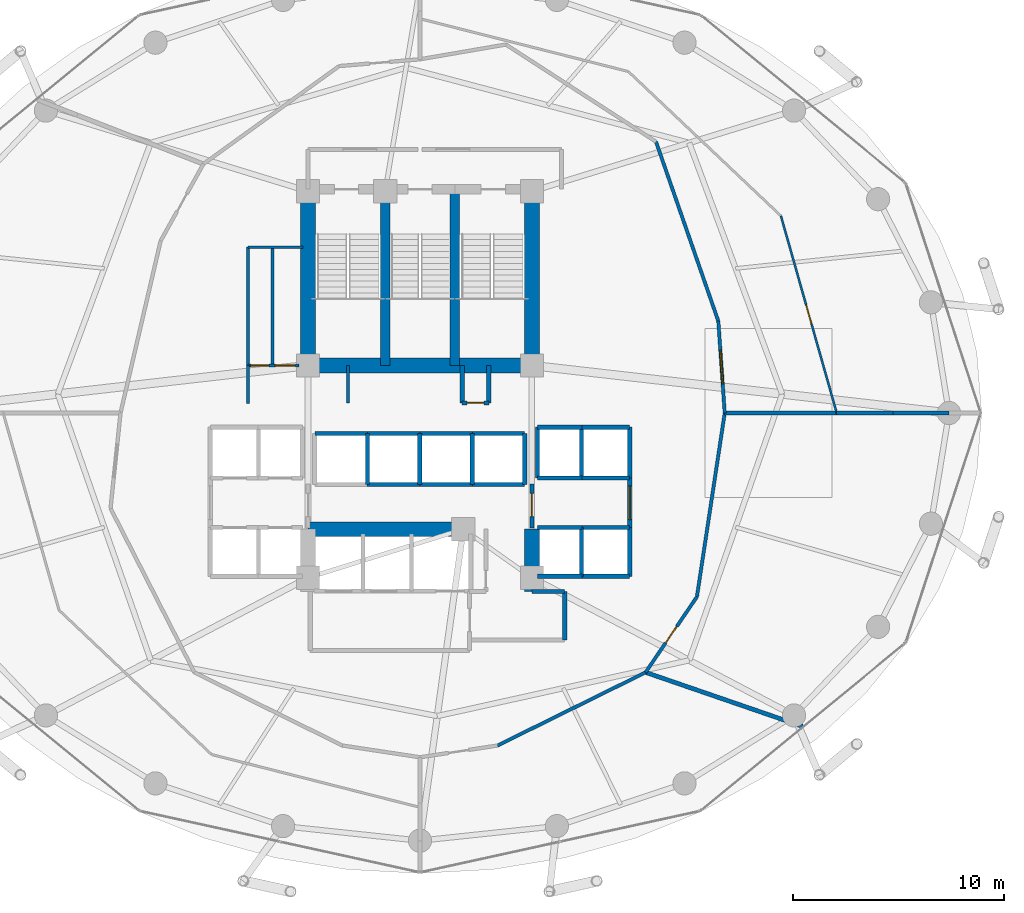
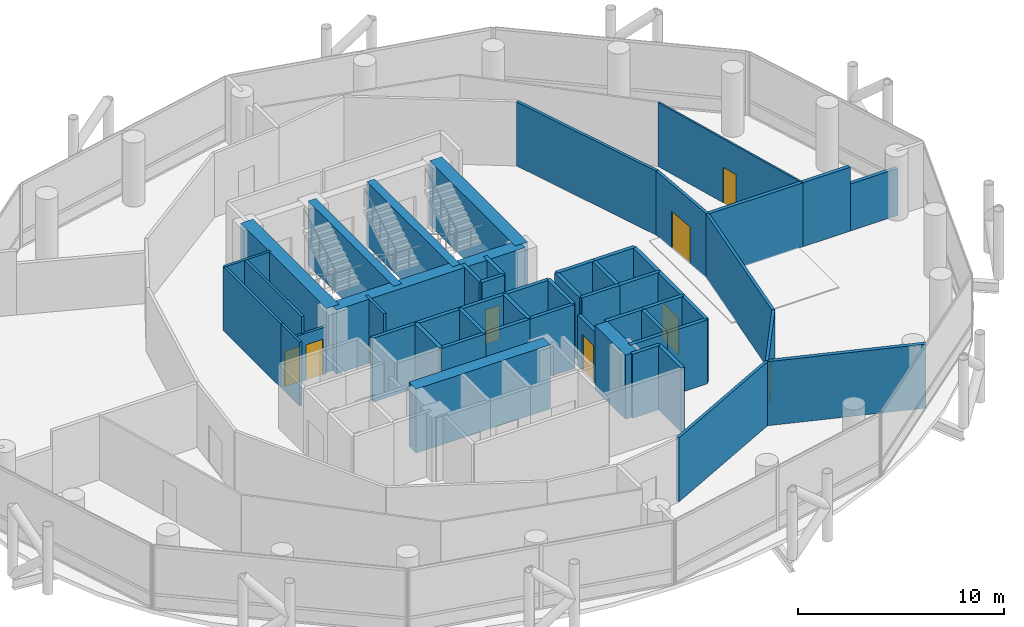
# One storey, part 22 of 24: 54 walls, 8 doors, 8 openings.
"""IFC4 building model written with IfcOpenShell, lengths in metres."""

from ifc_helpers import new_model, si_unit, direction, frame, frame_2d, origin, place, context, subcontext, project, spatial, rectangle, extrude, material, layer, layer_set, type_object, element, fill, save


model = new_model("IFC4")

# Units and contexts
model_context = context("Model", 3, precision=1e-05, world=origin(), true_north=direction((0.0, 1.0)))
body_context = subcontext(model_context, "Body", "Model", "MODEL_VIEW")
ifc_project = project(units=[si_unit("LENGTHUNIT", "METRE"), si_unit("AREAUNIT", "SQUARE_METRE"), si_unit("VOLUMEUNIT", "CUBIC_METRE"), si_unit("PLANEANGLEUNIT", "RADIAN"), si_unit("MASSUNIT", "GRAM", prefix="KILO")], contexts=[model_context])

# Site, building, storey
site_placement = place(None, origin())
site = spatial("IfcSite", under=ifc_project, at=site_placement, CompositionType="ELEMENT")
building_placement = place(site_placement, origin())
building = spatial("IfcBuilding", under=site, at=building_placement, Name="Nuhasar Tower", CompositionType="ELEMENT")
storey_placement = place(building_placement, frame((0.0, 0.0, 69.60009765625)))
storey = spatial("IfcBuildingStorey", under=building, at=storey_placement, Name="L16", CompositionType="ELEMENT", Elevation=69.60009765625)

# Walls
ifc_material_1 = material(Name="Concrete C50/60", Category="concrete")
ifc_layer_1 = layer(ifc_material_1, 0.449951171875)
ifc_layer_set_1 = layer_set([ifc_layer_1], Name="Concrete C50/60")
wall_type_1 = type_object("IfcWallType", Name="WL-CORE-450", PredefinedType="SHEAR", material=ifc_layer_set_1)
for number, where, z_axis, x_axis, name in (
    (1, (37.35009765625, 29.050048828125, 0.0), (0.0, 0.0, 1.0), (0.0, 1.0, 0.0), "L16 Stairwell Shear Wall ST01-E"),
    (2, (40.64990234375, 29.050048828125, 0.0), (0.0, 0.0, 1.0), (0.0, 1.0, 0.0), "L16 Stairwell Shear Wall ST03-E"),
):
    element("IfcWall", number, at=place(storey_placement, frame(where, z_axis=z_axis, x_axis=x_axis)), inside=storey, type_object=wall_type_1, Name=name, PredefinedType="SHEAR", context=body_context, shape_type="SweptSolid", body=[
        extrude(rectangle(XDim=8.349853515625, YDim=0.449951171875, at=frame_2d((4.1748046875, 0.0))), origin(), (0.0, 0.0, 1.0), 3.7998046875),
    ])
ifc_material_2 = material(Name="Concrete C65/80", Category="concrete")
ifc_layer_2 = layer(ifc_material_2, 0.699951171875)
ifc_layer_set_2 = layer_set([ifc_layer_2], Name="Concrete C65/80")
wall_type_2 = type_object("IfcWallType", Name="WL-CORE-700", PredefinedType="SHEAR", material=ifc_layer_set_2)
for number, where, z_axis, x_axis, name in (
    (3, (33.699951171875, 29.050048828125, 0.0), (0.0, 0.0, 1.0), (0.0, 1.0, 0.0), "L16 Core Shear Wall CW-NW CW-700"),
    (4, (44.300048828125, 29.050048828125, 0.0), (0.0, 0.0, 1.0), (0.0, 1.0, 0.0), "L16 Core Shear Wall CW-NE CW-700"),
):
    element("IfcWall", number, at=place(storey_placement, frame(where, z_axis=z_axis, x_axis=x_axis)), inside=storey, type_object=wall_type_2, Name=name, PredefinedType="SHEAR", context=body_context, shape_type="SweptSolid", body=[
        extrude(rectangle(XDim=8.349853515625, YDim=0.699951171875, at=frame_2d((4.1748046875, 0.0))), origin(), (0.0, 0.0, 1.0), 3.7998046875),
    ])
wall_1_placement = place(storey_placement, frame((44.300048828125, 18.35009765625, 0.0), z_axis=(0.0, 0.0, 1.0), x_axis=(0.0, 1.0, 0.0)))
element("IfcWall", 5, at=wall_1_placement, inside=storey, type_object=wall_type_2, Name="L16 Core Shear Wall CW-SE CW-700", PredefinedType="SHEAR", context=body_context, shape_type="SweptSolid", body=[
    extrude(rectangle(XDim=2.949951171875, YDim=0.699951171875, at=frame_2d((1.47509765625, 0.0))), origin(), (0.0, 0.0, 1.0), 3.7998046875),
])
wall_2_placement = place(storey_placement, frame((33.699951171875, 29.050048828125, 0.0), z_axis=(0.0, 0.0, 1.0), x_axis=(1.0, 0.0, 0.0)))
element("IfcWall", 6, at=wall_2_placement, inside=storey, type_object=wall_type_2, Name="L16 Core Shear Wall CW-N1 CW-700", PredefinedType="SHEAR", context=body_context, shape_type="SweptSolid", body=[
    extrude(rectangle(XDim=10.60009765625, YDim=0.699951171875, at=frame_2d((5.300048828125, 0.0))), origin(), (0.0, 0.0, 1.0), 3.7998046875),
])
wall_3_placement = place(storey_placement, frame((33.699951171875, 21.300048828125, 0.0), z_axis=(0.0, 0.0, 1.0), x_axis=(1.0, 0.0, 0.0)))
element("IfcWall", 7, at=wall_3_placement, inside=storey, type_object=wall_type_2, Name="L16 Core Shear Wall CW-S1 CW-700", PredefinedType="SHEAR", context=body_context, shape_type="SweptSolid", body=[
    extrude(rectangle(XDim=7.550048828125, YDim=0.699951171875, at=frame_2d((3.77490234375, 0.0))), origin(), (0.0, 0.0, 1.0), 3.7998046875),
])

# Wall, opening, door
ifc_material_3 = material(Name="Gypsum Board", Category="gypsum")
ifc_layer_3 = layer(ifc_material_3, 0.159912109375)
ifc_layer_set_3 = layer_set([ifc_layer_3], Name="Gypsum Board")
wall_type_3 = type_object("IfcWallType", Name="WL-CORR-160", PredefinedType="PARTITIONING", material=ifc_layer_set_3)
wall_4_placement = place(storey_placement, frame((53.126953125, 31.15087890625, 0.0), z_axis=(0.0, 0.0, 1.0), x_axis=(0.06946871143, -0.997584130854, 0.0)))
wall_4 = element("IfcWall", 8, at=wall_4_placement, inside=storey, type_object=wall_type_3, Name="L16 Interior Partition CORR-00", PredefinedType="PARTITIONING", context=body_context, shape_type="SweptSolid", body=[
    extrude(rectangle(XDim=4.361328125, YDim=0.159912109375, at=frame_2d((2.1806640625, 0.0))), origin(), (0.0, 0.0, 1.0), 3.7998046875),
])
opening_1_placement = place(wall_4_placement, frame((1.381103515625, 0.0, 0.0)))
opening_1 = element("IfcOpeningElement", 9, at=opening_1_placement, cuts=wall_4, Name="Opening DC-01", PredefinedType="OPENING", context=body_context, shape_type="SweptSolid", body=[
    extrude(rectangle(XDim=1.60009765625, YDim=2.199951171875, at=frame_2d((0.800048828125, 1.10009765625))), frame((0.0, 0.08984375, 0.0), z_axis=(0.0, -1.0, 0.0), x_axis=(1.0, 0.0, 0.0)), (0.0, 0.0, 1.0), 0.179931640625),
])
ifc_material_4 = material(Name="Steel S355", Category="steel")
door_type_1 = type_object("IfcDoorType", Name="DR-CORR-FD60-1600", OperationType="DOUBLE_DOOR_SINGLE_SWING", PredefinedType="DOOR", material=ifc_material_4)
door_1_placement = place(opening_1_placement, origin())
door_1 = element("IfcDoor", 10, at=door_1_placement, inside=storey, type_object=door_type_1, Name="L16 East Industrial Design Studio Entry Door", OperationType="DOUBLE_DOOR_SINGLE_SWING", OverallHeight=2.199951171875, OverallWidth=1.60009765625, PredefinedType="DOOR", context=body_context, shape_type="SweptSolid", body=[
    extrude(rectangle(XDim=1.60009765625, YDim=2.199951171875, at=frame_2d((0.800048828125, 1.10009765625))), frame((0.0, 0.02490234375, 0.0), z_axis=(0.0, -1.0, 0.0), x_axis=(1.0, 0.0, 0.0)), (0.0, 0.0, 1.0), 0.050048828125),
])
fill(opening_1, door_1)

# Walls
wall_5_placement = place(storey_placement, frame((53.126953125, 31.15087890625, 0.0), z_axis=(0.0, 0.0, 1.0), x_axis=(-0.328134166286, 0.944631128492, 0.0)))
element("IfcWall", 11, at=wall_5_placement, inside=storey, type_object=wall_type_3, Name="L16 Interior Partition CORR-02", PredefinedType="PARTITIONING", context=body_context, shape_type="SweptSolid", body=[
    extrude(rectangle(XDim=8.9931640625, YDim=0.159912109375, at=frame_2d((4.49658203125, 0.0))), origin(), (0.0, 0.0, 1.0), 3.7998046875),
])
wall_6_placement = place(storey_placement, frame((42.669921875, 11.054931640625, 0.0), z_axis=(0.0, 0.0, 1.0), x_axis=(0.896539401739, 0.442963995296, 0.0)))
element("IfcWall", 12, at=wall_6_placement, inside=storey, type_object=wall_type_3, Name="L16 Interior Partition CORR-38", PredefinedType="PARTITIONING", context=body_context, shape_type="SweptSolid", body=[
    extrude(rectangle(XDim=7.822509765625, YDim=0.159912109375, at=frame_2d((3.9111328125, 0.0))), origin(), (0.0, 0.0, 1.0), 3.7998046875),
])

# Wall, opening, door
wall_7_placement = place(storey_placement, frame((52.113037109375, 18.096923828125, 0.0), z_axis=(0.0, 0.0, 1.0), x_axis=(-0.561936247527, -0.827180544812, 0.0)))
wall_7 = element("IfcWall", 13, at=wall_7_placement, inside=storey, type_object=wall_type_3, Name="L16 Interior Partition CORR-42", PredefinedType="PARTITIONING", context=body_context, shape_type="SweptSolid", body=[
    extrude(rectangle(XDim=4.32421875, YDim=0.159912109375, at=frame_2d((2.162109375, 0.0))), origin(), (0.0, 0.0, 1.0), 3.7998046875),
])
opening_2_placement = place(wall_7_placement, frame((1.68701171875, 0.0, 0.0)))
opening_2 = element("IfcOpeningElement", 14, at=opening_2_placement, cuts=wall_7, Name="Opening DO-01", PredefinedType="OPENING", context=body_context, shape_type="SweptSolid", body=[
    extrude(rectangle(XDim=0.949951171875, YDim=2.14990234375, at=frame_2d((0.47509765625, 1.074951171875))), frame((0.0, 0.08984375, 0.0), z_axis=(0.0, -1.0, 0.0), x_axis=(1.0, 0.0, 0.0)), (0.0, 0.0, 1.0), 0.179931640625),
])
ifc_material_5 = material(Name="Timber Oak", Category="wood")
door_type_2 = type_object("IfcDoorType", Name="DR-OFFICE-FD30-950", OperationType="NOTDEFINED", PredefinedType="DOOR", material=ifc_material_5)
door_2_placement = place(opening_2_placement, origin())
door_2 = element("IfcDoor", 15, at=door_2_placement, inside=storey, type_object=door_type_2, Name="L16 Prototype Material Store Entry Door", OperationType="SINGLE_SWING_LEFT", OverallHeight=2.14990234375, OverallWidth=0.949951171875, PredefinedType="DOOR", context=body_context, shape_type="SweptSolid", body=[
    extrude(rectangle(XDim=0.949951171875, YDim=2.14990234375, at=frame_2d((0.47509765625, 1.074951171875))), frame((0.0, 0.02490234375, 0.0), z_axis=(0.0, -1.0, 0.0), x_axis=(1.0, 0.0, 0.0)), (0.0, 0.0, 1.0), 0.050048828125),
])
fill(opening_2, door_2)

# Wall
wall_8_placement = place(storey_placement, frame((52.113037109375, 18.096923828125, 0.0), z_axis=(0.0, 0.0, 1.0), x_axis=(0.149609827819, 0.988745113475, 0.0)))
element("IfcWall", 16, at=wall_8_placement, inside=storey, type_object=wall_type_3, Name="L16 Interior Partition CORR-44", PredefinedType="PARTITIONING", context=body_context, shape_type="SweptSolid", body=[
    extrude(rectangle(XDim=8.80224609375, YDim=0.159912109375, at=frame_2d((4.401123046875, 0.0))), origin(), (0.0, 0.0, 1.0), 3.7998046875),
])

# Wall, opening, door
ifc_material_6 = material(Name="Concrete C45/55", Category="concrete")
ifc_layer_4 = layer(ifc_material_6, 0.199951171875)
ifc_layer_set_4 = layer_set([ifc_layer_4], Name="Concrete C45/55")
wall_type_4 = type_object("IfcWallType", Name="WL-LOBBY-200", PredefinedType="SOLIDWALL", material=ifc_layer_set_4)
wall_9_placement = place(storey_placement, frame((48.929931640625, 21.3798828125, 0.0), z_axis=(0.0, 0.0, 1.0), x_axis=(0.0, 1.0, 0.0)))
wall_9 = element("IfcWall", 17, at=wall_9_placement, inside=storey, type_object=wall_type_4, Name="L16 Interior Partition LLBM-E", PredefinedType="SOLIDWALL", context=body_context, shape_type="SweptSolid", body=[
    extrude(rectangle(XDim=2.340087890625, YDim=0.199951171875, at=frame_2d((1.169921875, 0.0))), origin(), (0.0, 0.0, 1.0), 3.7998046875),
])
opening_3_placement = place(wall_9_placement, frame((0.3701171875, 0.0, 0.0)))
opening_3 = element("IfcOpeningElement", 18, at=opening_3_placement, cuts=wall_9, Name="Opening DC-01", PredefinedType="OPENING", context=body_context, shape_type="SweptSolid", body=[
    extrude(rectangle(XDim=1.60009765625, YDim=2.199951171875, at=frame_2d((0.800048828125, 1.10009765625))), frame((0.0, 0.10986328125, 0.0), z_axis=(0.0, -1.0, 0.0), x_axis=(1.0, 0.0, 0.0)), (0.0, 0.0, 1.0), 0.219970703125),
])
door_3_placement = place(opening_3_placement, origin())
door_3 = element("IfcDoor", 19, at=door_3_placement, inside=storey, type_object=door_type_1, Name="L16 Mid-Rise Lift Lobby East Entry", OperationType="DOUBLE_DOOR_SINGLE_SWING", OverallHeight=2.199951171875, OverallWidth=1.60009765625, PredefinedType="DOOR", context=body_context, shape_type="SweptSolid", body=[
    extrude(rectangle(XDim=1.60009765625, YDim=2.199951171875, at=frame_2d((0.800048828125, 1.10009765625))), frame((0.0, 0.02490234375, 0.0), z_axis=(0.0, -1.0, 0.0), x_axis=(1.0, 0.0, 0.0)), (0.0, 0.0, 1.0), 0.050048828125),
])
fill(opening_3, door_3)

wall_10_placement = place(storey_placement, frame((44.300048828125, 21.35009765625, 0.0), z_axis=(0.0, 0.0, 1.0), x_axis=(0.0, 1.0, 0.0)))
wall_10 = element("IfcWall", 20, at=wall_10_placement, inside=storey, type_object=wall_type_4, Name="L16 Interior Partition LLBH-E", PredefinedType="SOLIDWALL", context=body_context, shape_type="SweptSolid", body=[
    extrude(rectangle(XDim=2.099853515625, YDim=0.199951171875, at=frame_2d((1.0498046875, 0.0))), origin(), (0.0, 0.0, 1.0), 3.02001953125),
])
opening_4_placement = place(wall_10_placement, frame((0.550048828125, 0.0, 0.0)))
opening_4 = element("IfcOpeningElement", 21, at=opening_4_placement, cuts=wall_10, Name="Opening DS-02", PredefinedType="OPENING", context=body_context, shape_type="SweptSolid", body=[
    extrude(rectangle(XDim=1.10009765625, YDim=2.14990234375, at=frame_2d((0.550048828125, 1.074951171875))), frame((0.0, 0.10986328125, 0.0), z_axis=(0.0, -1.0, 0.0), x_axis=(1.0, 0.0, 0.0)), (0.0, 0.0, 1.0), 0.219970703125),
])
door_type_3 = type_object("IfcDoorType", Name="DR-FFL-FD120-1100", OperationType="NOTDEFINED", PredefinedType="DOOR", material=ifc_material_4)
door_4_placement = place(opening_4_placement, origin())
door_4 = element("IfcDoor", 22, at=door_4_placement, inside=storey, type_object=door_type_3, Name="L16 High-Rise Lobby East Door", OperationType="SINGLE_SWING_RIGHT", OverallHeight=2.14990234375, OverallWidth=1.10009765625, PredefinedType="DOOR", context=body_context, shape_type="SweptSolid", body=[
    extrude(rectangle(XDim=1.10009765625, YDim=2.14990234375, at=frame_2d((0.550048828125, 1.074951171875))), frame((0.0, 0.02490234375, 0.0), z_axis=(0.0, -1.0, 0.0), x_axis=(1.0, 0.0, 0.0)), (0.0, 0.0, 1.0), 0.050048828125),
])
fill(opening_4, door_4)

# Walls
wall_11_placement = place(storey_placement, frame((45.85009765625, 16.050048828125, 0.0), z_axis=(0.0, 0.0, 1.0), x_axis=(0.0, 1.0, 0.0)))
element("IfcWall", 23, at=wall_11_placement, inside=storey, type_object=wall_type_4, Name="L16 Interior Partition SVLV-E", PredefinedType="SOLIDWALL", context=body_context, shape_type="SweptSolid", body=[
    extrude(rectangle(XDim=2.300048828125, YDim=0.199951171875, at=frame_2d((1.14990234375, 0.0))), origin(), (0.0, 0.0, 1.0), 3.7998046875),
])
wall_12_placement = place(storey_placement, frame((44.300048828125, 18.35009765625, 0.0), z_axis=(0.0, 0.0, 1.0), x_axis=(1.0, 0.0, 0.0)))
element("IfcWall", 24, at=wall_12_placement, inside=storey, type_object=wall_type_4, Name="L16 Interior Partition SVLV-N", PredefinedType="SOLIDWALL", context=body_context, shape_type="SweptSolid", body=[
    extrude(rectangle(XDim=1.550048828125, YDim=0.199951171875, at=frame_2d((0.77490234375, 0.0))), origin(), (0.0, 0.0, 1.0), 3.7998046875),
])

# Wall, opening, door
ifc_material_7 = material(Name="Aluminium 6063-T6", Category="aluminium")
ifc_layer_5 = layer(ifc_material_7, 0.10009765625)
ifc_layer_set_5 = layer_set([ifc_layer_5], Name="Aluminium 6063-T6")
wall_type_5 = type_object("IfcWallType", Name="WL-MOVABLE-100", PredefinedType="MOVABLE", material=ifc_layer_set_5)
wall_13_placement = place(storey_placement, frame((56.090087890625, 36.135986328125, 0.0), z_axis=(0.0, 0.0, 1.0), x_axis=(0.27247058522, -0.962164112919, 0.0)))
wall_13 = element("IfcWall", 25, at=wall_13_placement, inside=storey, type_object=wall_type_5, Name="L16 Interior Partition OMID-01-00", PredefinedType="MOVABLE", context=body_context, shape_type="SweptSolid", body=[
    extrude(rectangle(XDim=9.703125, YDim=0.10009765625, at=frame_2d((4.8515625, 0.0))), origin(), (0.0, 0.0, 1.0), 3.7998046875),
])
opening_5_placement = place(wall_13_placement, frame((4.402099609375, 0.0, 0.0)))
opening_5 = element("IfcOpeningElement", 26, at=opening_5_placement, cuts=wall_13, Name="Opening DR-01", PredefinedType="OPENING", context=body_context, shape_type="SweptSolid", body=[
    extrude(rectangle(XDim=0.89990234375, YDim=2.10009765625, at=frame_2d((0.449951171875, 1.050048828125))), frame((0.0, 0.06005859375, 0.0), z_axis=(0.0, -1.0, 0.0), x_axis=(1.0, 0.0, 0.0)), (0.0, 0.0, 1.0), 0.1201171875),
])
door_type_4 = type_object("IfcDoorType", Name="DR-ROOM-900", OperationType="NOTDEFINED", PredefinedType="DOOR", material=ifc_material_5)
door_5_placement = place(opening_5_placement, origin())
door_5 = element("IfcDoor", 27, at=door_5_placement, inside=storey, type_object=door_type_4, Name="L16 East Industrial Design Studio Inner Door", OperationType="SINGLE_SWING_LEFT", OverallHeight=2.10009765625, OverallWidth=0.89990234375, PredefinedType="DOOR", context=body_context, shape_type="SweptSolid", body=[
    extrude(rectangle(XDim=0.89990234375, YDim=2.10009765625, at=frame_2d((0.449951171875, 1.050048828125))), frame((0.0, 0.02490234375, 0.0), z_axis=(0.0, -1.0, 0.0), x_axis=(1.0, 0.0, 0.0)), (0.0, 0.0, 1.0), 0.050048828125),
])
fill(opening_5, door_5)

# Walls
ifc_layer_6 = layer(ifc_material_6, 0.199951171875)
ifc_layer_set_6 = layer_set([ifc_layer_6], Name="Concrete C45/55")
wall_type_6 = type_object("IfcWallType", Name="WL-SHAFT-200", PredefinedType="SOLIDWALL", material=ifc_layer_set_6)
for number, where, z_axis, x_axis, name in (
    (28, (41.0, 27.280029296875, 0.0), (0.0, 0.0, 1.0), (0.0, 1.0, 0.0), "L16 Interior Partition RSRN-W"),
    (29, (42.260009765625, 27.280029296875, 0.0), (0.0, 0.0, 1.0), (0.0, 1.0, 0.0), "L16 Interior Partition RSRN-E"),
):
    element("IfcWall", number, at=place(storey_placement, frame(where, z_axis=z_axis, x_axis=x_axis)), inside=storey, type_object=wall_type_6, Name=name, PredefinedType="SOLIDWALL", context=body_context, shape_type="SweptSolid", body=[
        extrude(rectangle(XDim=1.77001953125, YDim=0.199951171875, at=frame_2d((0.885009765625, 0.0))), origin(), (0.0, 0.0, 1.0), 3.7998046875),
    ])

# Wall, opening, door
wall_14_placement = place(storey_placement, frame((41.0, 27.280029296875, 0.0), z_axis=(0.0, 0.0, 1.0), x_axis=(1.0, 0.0, 0.0)))
wall_14 = element("IfcWall", 30, at=wall_14_placement, inside=storey, type_object=wall_type_6, Name="L16 Interior Partition RSRN-S", PredefinedType="SOLIDWALL", context=body_context, shape_type="SweptSolid", body=[
    extrude(rectangle(XDim=1.260009765625, YDim=0.199951171875, at=frame_2d((0.6298828125, 0.0))), origin(), (0.0, 0.0, 1.0), 3.7998046875),
])
opening_6_placement = place(wall_14_placement, frame((0.22998046875, 0.0, 0.0)))
opening_6 = element("IfcOpeningElement", 31, at=opening_6_placement, cuts=wall_14, Name="Opening DM-01", PredefinedType="OPENING", context=body_context, shape_type="SweptSolid", body=[
    extrude(rectangle(XDim=0.800048828125, YDim=2.050048828125, at=frame_2d((0.39990234375, 1.02490234375))), frame((0.0, 0.10986328125, 0.0), z_axis=(0.0, -1.0, 0.0), x_axis=(1.0, 0.0, 0.0)), (0.0, 0.0, 1.0), 0.219970703125),
])
door_type_5 = type_object("IfcDoorType", Name="DR-RISER-FD60-800", OperationType="NOTDEFINED", PredefinedType="DOOR", material=ifc_material_4)
door_6_placement = place(opening_6_placement, origin())
door_6 = element("IfcDoor", 32, at=door_6_placement, inside=storey, type_object=door_type_5, Name="L16 North Smoke Riser Door", OperationType="SINGLE_SWING_RIGHT", OverallHeight=2.050048828125, OverallWidth=0.800048828125, PredefinedType="DOOR", context=body_context, shape_type="SweptSolid", body=[
    extrude(rectangle(XDim=0.800048828125, YDim=2.050048828125, at=frame_2d((0.39990234375, 1.02490234375))), frame((0.0, 0.02490234375, 0.0), z_axis=(0.0, -1.0, 0.0), x_axis=(1.0, 0.0, 0.0)), (0.0, 0.0, 1.0), 0.050048828125),
])
fill(opening_6, door_6)

# Walls
for number, where, z_axis, x_axis, name in (
    (33, (44.570068359375, 23.719970703125, 0.0), (0.0, 0.0, 1.0), (1.0, 0.0, 0.0), "L16 Interior Partition SHF-PL-M01-S"),
    (34, (44.570068359375, 26.1298828125, 0.0), (0.0, 0.0, 1.0), (1.0, 0.0, 0.0), "L16 Interior Partition SHF-PL-M01-N"),
):
    element("IfcWall", number, at=place(storey_placement, frame(where, z_axis=z_axis, x_axis=x_axis)), inside=storey, type_object=wall_type_6, Name=name, PredefinedType="SOLIDWALL", context=body_context, shape_type="SweptSolid", body=[
        extrude(rectangle(XDim=2.10986328125, YDim=0.199951171875, at=frame_2d((1.054931640625, 0.0))), origin(), (0.0, 0.0, 1.0), 3.7998046875),
    ])
for number, where, z_axis, x_axis, name in (
    (35, (44.570068359375, 23.719970703125, 0.0), (0.0, 0.0, 1.0), (0.0, 1.0, 0.0), "L16 Interior Partition SHF-PL-M01-W"),
    (36, (46.64990234375, 23.719970703125, 0.0), (0.0, 0.0, 1.0), (0.0, 1.0, 0.0), "L16 Interior Partition SHF-PL-M01-E"),
):
    element("IfcWall", number, at=place(storey_placement, frame(where, z_axis=z_axis, x_axis=x_axis)), inside=storey, type_object=wall_type_6, Name=name, PredefinedType="SOLIDWALL", context=body_context, shape_type="SweptSolid", body=[
        extrude(rectangle(XDim=2.409912109375, YDim=0.199951171875, at=frame_2d((1.205078125, 0.0))), origin(), (0.0, 0.0, 1.0), 3.7998046875),
    ])
for number, where, z_axis, x_axis, name in (
    (37, (46.6201171875, 23.719970703125, 0.0), (0.0, 0.0, 1.0), (1.0, 0.0, 0.0), "L16 Interior Partition SHF-PL-M02-S"),
    (38, (46.6201171875, 26.1298828125, 0.0), (0.0, 0.0, 1.0), (1.0, 0.0, 0.0), "L16 Interior Partition SHF-PL-M02-N"),
):
    element("IfcWall", number, at=place(storey_placement, frame(where, z_axis=z_axis, x_axis=x_axis)), inside=storey, type_object=wall_type_6, Name=name, PredefinedType="SOLIDWALL", context=body_context, shape_type="SweptSolid", body=[
        extrude(rectangle(XDim=2.309814453125, YDim=0.199951171875, at=frame_2d((1.15478515625, 0.0))), origin(), (0.0, 0.0, 1.0), 3.7998046875),
    ])
wall_15_placement = place(storey_placement, frame((48.929931640625, 23.719970703125, 0.0), z_axis=(0.0, 0.0, 1.0), x_axis=(0.0, 1.0, 0.0)))
element("IfcWall", 39, at=wall_15_placement, inside=storey, type_object=wall_type_6, Name="L16 Interior Partition SHF-PL-M02-E", PredefinedType="SOLIDWALL", context=body_context, shape_type="SweptSolid", body=[
    extrude(rectangle(XDim=2.409912109375, YDim=0.199951171875, at=frame_2d((1.205078125, 0.0))), origin(), (0.0, 0.0, 1.0), 3.7998046875),
])
for number, where, z_axis, x_axis, name in (
    (40, (44.570068359375, 19.070068359375, 0.0), (0.0, 0.0, 1.0), (1.0, 0.0, 0.0), "L16 Interior Partition SHF-PL-M03-S"),
    (41, (44.570068359375, 21.3798828125, 0.0), (0.0, 0.0, 1.0), (1.0, 0.0, 0.0), "L16 Interior Partition SHF-PL-M03-N"),
):
    element("IfcWall", number, at=place(storey_placement, frame(where, z_axis=z_axis, x_axis=x_axis)), inside=storey, type_object=wall_type_6, Name=name, PredefinedType="SOLIDWALL", context=body_context, shape_type="SweptSolid", body=[
        extrude(rectangle(XDim=2.10986328125, YDim=0.199951171875, at=frame_2d((1.054931640625, 0.0))), origin(), (0.0, 0.0, 1.0), 3.7998046875),
    ])
for number, where, z_axis, x_axis, name in (
    (42, (46.64990234375, 19.070068359375, 0.0), (0.0, 0.0, 1.0), (0.0, 1.0, 0.0), "L16 Interior Partition SHF-PL-M03-E"),
    (43, (46.6201171875, 19.070068359375, 0.0), (0.0, 0.0, 1.0), (1.0, 0.0, 0.0), "L16 Interior Partition SHF-PL-M04-S"),
    (44, (46.6201171875, 21.3798828125, 0.0), (0.0, 0.0, 1.0), (1.0, 0.0, 0.0), "L16 Interior Partition SHF-PL-M04-N"),
    (45, (48.929931640625, 19.070068359375, 0.0), (0.0, 0.0, 1.0), (0.0, 1.0, 0.0), "L16 Interior Partition SHF-PL-M04-E"),
):
    element("IfcWall", number, at=place(storey_placement, frame(where, z_axis=z_axis, x_axis=x_axis)), inside=storey, type_object=wall_type_6, Name=name, PredefinedType="SOLIDWALL", context=body_context, shape_type="SweptSolid", body=[
        extrude(rectangle(XDim=2.309814453125, YDim=0.199951171875, at=frame_2d((1.15478515625, 0.0))), origin(), (0.0, 0.0, 1.0), 3.7998046875),
    ])
wall_16_placement = place(storey_placement, frame((34.02001953125, 25.830078125, 0.0), z_axis=(0.0, 0.0, 1.0), x_axis=(1.0, 0.0, 0.0)))
element("IfcWall", 46, at=wall_16_placement, inside=storey, type_object=wall_type_6, Name="L16 Interior Partition SHF-PL-H01-N", PredefinedType="SOLIDWALL", context=body_context, shape_type="SweptSolid", body=[
    extrude(rectangle(XDim=2.5, YDim=0.199951171875, at=frame_2d((1.25, 0.0))), origin(), (0.0, 0.0, 1.0), 3.7998046875),
])
wall_17_placement = place(storey_placement, frame((36.510009765625, 23.419921875, 0.0), z_axis=(0.0, 0.0, 1.0), x_axis=(0.0, 1.0, 0.0)))
element("IfcWall", 47, at=wall_17_placement, inside=storey, type_object=wall_type_6, Name="L16 Interior Partition SHF-PL-H01-E", PredefinedType="SOLIDWALL", context=body_context, shape_type="SweptSolid", body=[
    extrude(rectangle(XDim=2.41015625, YDim=0.199951171875, at=frame_2d((1.205078125, 0.0))), origin(), (0.0, 0.0, 1.0), 3.7998046875),
])
for number, where, z_axis, x_axis, name in (
    (48, (36.5, 23.419921875, 0.0), (0.0, 0.0, 1.0), (1.0, 0.0, 0.0), "L16 Interior Partition SHF-PL-H02-S"),
    (49, (36.5, 25.830078125, 0.0), (0.0, 0.0, 1.0), (1.0, 0.0, 0.0), "L16 Interior Partition SHF-PL-H02-N"),
):
    element("IfcWall", number, at=place(storey_placement, frame(where, z_axis=z_axis, x_axis=x_axis)), inside=storey, type_object=wall_type_6, Name=name, PredefinedType="SOLIDWALL", context=body_context, shape_type="SweptSolid", body=[
        extrude(rectangle(XDim=2.5, YDim=0.199951171875, at=frame_2d((1.25, 0.0))), origin(), (0.0, 0.0, 1.0), 3.7998046875),
    ])
wall_18_placement = place(storey_placement, frame((38.989990234375, 23.419921875, 0.0), z_axis=(0.0, 0.0, 1.0), x_axis=(0.0, 1.0, 0.0)))
element("IfcWall", 50, at=wall_18_placement, inside=storey, type_object=wall_type_6, Name="L16 Interior Partition SHF-PL-H02-E", PredefinedType="SOLIDWALL", context=body_context, shape_type="SweptSolid", body=[
    extrude(rectangle(XDim=2.41015625, YDim=0.199951171875, at=frame_2d((1.205078125, 0.0))), origin(), (0.0, 0.0, 1.0), 3.7998046875),
])
for number, where, z_axis, x_axis, name in (
    (51, (38.97998046875, 23.419921875, 0.0), (0.0, 0.0, 1.0), (1.0, 0.0, 0.0), "L16 Interior Partition SHF-PL-H03-S"),
    (52, (38.97998046875, 25.830078125, 0.0), (0.0, 0.0, 1.0), (1.0, 0.0, 0.0), "L16 Interior Partition SHF-PL-H03-N"),
):
    element("IfcWall", number, at=place(storey_placement, frame(where, z_axis=z_axis, x_axis=x_axis)), inside=storey, type_object=wall_type_6, Name=name, PredefinedType="SOLIDWALL", context=body_context, shape_type="SweptSolid", body=[
        extrude(rectangle(XDim=2.5, YDim=0.199951171875, at=frame_2d((1.25, 0.0))), origin(), (0.0, 0.0, 1.0), 3.7998046875),
    ])
wall_19_placement = place(storey_placement, frame((41.469970703125, 23.419921875, 0.0), z_axis=(0.0, 0.0, 1.0), x_axis=(0.0, 1.0, 0.0)))
element("IfcWall", 53, at=wall_19_placement, inside=storey, type_object=wall_type_6, Name="L16 Interior Partition SHF-PL-H03-E", PredefinedType="SOLIDWALL", context=body_context, shape_type="SweptSolid", body=[
    extrude(rectangle(XDim=2.41015625, YDim=0.199951171875, at=frame_2d((1.205078125, 0.0))), origin(), (0.0, 0.0, 1.0), 3.7998046875),
])
for number, where, z_axis, x_axis, name in (
    (54, (41.4599609375, 23.419921875, 0.0), (0.0, 0.0, 1.0), (1.0, 0.0, 0.0), "L16 Interior Partition SHF-PL-H04-S"),
    (55, (41.4599609375, 25.830078125, 0.0), (0.0, 0.0, 1.0), (1.0, 0.0, 0.0), "L16 Interior Partition SHF-PL-H04-N"),
):
    element("IfcWall", number, at=place(storey_placement, frame(where, z_axis=z_axis, x_axis=x_axis)), inside=storey, type_object=wall_type_6, Name=name, PredefinedType="SOLIDWALL", context=body_context, shape_type="SweptSolid", body=[
        extrude(rectangle(XDim=2.5, YDim=0.199951171875, at=frame_2d((1.25, 0.0))), origin(), (0.0, 0.0, 1.0), 3.7998046875),
    ])
wall_20_placement = place(storey_placement, frame((43.9599609375, 23.419921875, 0.0), z_axis=(0.0, 0.0, 1.0), x_axis=(0.0, 1.0, 0.0)))
element("IfcWall", 56, at=wall_20_placement, inside=storey, type_object=wall_type_6, Name="L16 Interior Partition SHF-PL-H04-E", PredefinedType="SOLIDWALL", context=body_context, shape_type="SweptSolid", body=[
    extrude(rectangle(XDim=2.41015625, YDim=0.199951171875, at=frame_2d((1.205078125, 0.0))), origin(), (0.0, 0.0, 1.0), 3.7998046875),
])
ifc_material_8 = material(Name="Concrete C40/50 precast", Category="concrete")
ifc_layer_7 = layer(ifc_material_8, 0.199951171875)
ifc_layer_set_7 = layer_set([ifc_layer_7], Name="Concrete C40/50 precast")
wall_type_7 = type_object("IfcWallType", Name="WL-UNIT-200", PredefinedType="PARTITIONING", material=ifc_layer_set_7)
wall_21_placement = place(storey_placement, frame((53.429931640625, 26.800048828125, 0.0), z_axis=(0.0, 0.0, 1.0), x_axis=(1.0, 0.0, 0.0)))
element("IfcWall", 57, at=wall_21_placement, inside=storey, type_object=wall_type_7, Name="L16 Interior Partition ORAD-00-S1", PredefinedType="PARTITIONING", context=body_context, shape_type="SweptSolid", body=[
    extrude(rectangle(XDim=5.303955078125, YDim=0.199951171875, at=frame_2d((2.65185546875, 0.0))), origin(), (0.0, 0.0, 1.0), 3.7998046875),
])
wall_22_placement = place(storey_placement, frame((58.73388671875, 26.800048828125, 0.0), z_axis=(0.0, 0.0, 1.0), x_axis=(1.0, 0.0, 0.0)))
element("IfcWall", 58, at=wall_22_placement, inside=storey, type_object=wall_type_7, Name="L16 Interior Partition ORAD-00-S2", PredefinedType="PARTITIONING", context=body_context, shape_type="SweptSolid", body=[
    extrude(rectangle(XDim=2.6669921875, YDim=0.199951171875, at=frame_2d((1.33349609375, 0.0))), origin(), (0.0, 0.0, 1.0), 3.7998046875),
])
wall_23_placement = place(storey_placement, frame((61.40087890625, 26.800048828125, 0.0), z_axis=(0.0, 0.0, 1.0), x_axis=(1.0, 0.0, 0.0)))
element("IfcWall", 59, at=wall_23_placement, inside=storey, type_object=wall_type_7, Name="L16 Interior Partition ORAD-00-S2", PredefinedType="PARTITIONING", context=body_context, shape_type="SweptSolid", body=[
    extrude(rectangle(XDim=2.66015625, YDim=0.199951171875, at=frame_2d((1.330078125, 0.0))), origin(), (0.0, 0.0, 1.0), 2.789794921875),
])
wall_24_placement = place(storey_placement, frame((49.68310546875, 14.52001953125, 0.0), z_axis=(0.0, 0.0, 1.0), x_axis=(0.945541816257, -0.325500650859, 0.0)))
element("IfcWall", 60, at=wall_24_placement, inside=storey, type_object=wall_type_7, Name="L16 Interior Partition ORAD-42", PredefinedType="PARTITIONING", context=body_context, shape_type="SweptSolid", body=[
    extrude(rectangle(XDim=7.862060546875, YDim=0.199951171875, at=frame_2d((3.93115234375, 0.0))), origin(), (0.0, 0.0, 1.0), 3.7998046875),
])
ifc_layer_8 = layer(ifc_material_8, 0.139892578125)
ifc_layer_set_8 = layer_set([ifc_layer_8], Name="Concrete C40/50 precast")
wall_type_8 = type_object("IfcWallType", Name="WL-WET-140", PredefinedType="PARTITIONING", material=ifc_layer_set_8)
wall_25_placement = place(storey_placement, frame((35.60009765625, 27.280029296875, 0.0), z_axis=(0.0, 0.0, 1.0), x_axis=(0.0, 1.0, 0.0)))
element("IfcWall", 61, at=wall_25_placement, inside=storey, type_object=wall_type_8, Name="L16 Interior Partition CSVC-W", PredefinedType="PARTITIONING", context=body_context, shape_type="SweptSolid", body=[
    extrude(rectangle(XDim=1.77001953125, YDim=0.139892578125, at=frame_2d((0.885009765625, 0.0))), origin(), (0.0, 0.0, 1.0), 3.7998046875),
])
wall_26_placement = place(storey_placement, frame((30.85009765625, 27.239990234375, 0.0), z_axis=(0.0, 0.0, 1.0), x_axis=(0.0, 1.0, 0.0)))
element("IfcWall", 62, at=wall_26_placement, inside=storey, type_object=wall_type_8, Name="L16 Interior Partition K2-FOY-W", PredefinedType="PARTITIONING", context=body_context, shape_type="SweptSolid", body=[
    extrude(rectangle(XDim=1.81005859375, YDim=0.139892578125, at=frame_2d((0.905029296875, 0.0))), origin(), (0.0, 0.0, 1.0), 3.7998046875),
])

# Wall, openings, doors
wall_27_placement = place(storey_placement, frame((30.85009765625, 29.050048828125, 0.0), z_axis=(0.0, 0.0, 1.0), x_axis=(1.0, 0.0, 0.0)))
wall_27 = element("IfcWall", 63, at=wall_27_placement, inside=storey, type_object=wall_type_8, Name="L16 Interior Partition K2-NW-S", PredefinedType="PARTITIONING", context=body_context, shape_type="SweptSolid", body=[
    extrude(rectangle(XDim=2.429931640625, YDim=0.139892578125, at=frame_2d((1.21484375, 0.0))), origin(), (0.0, 0.0, 1.0), 2.789794921875),
])
opening_7_placement = place(wall_27_placement, frame((0.139892578125, 0.0, 0.0)))
opening_7 = element("IfcOpeningElement", 64, at=opening_7_placement, cuts=wall_27, Name="Opening DB-01", PredefinedType="OPENING", context=body_context, shape_type="SweptSolid", body=[
    extrude(rectangle(XDim=0.85009765625, YDim=2.10009765625, at=frame_2d((0.425048828125, 1.050048828125))), frame((0.0, 0.080078125, 0.0), z_axis=(0.0, -1.0, 0.0), x_axis=(1.0, 0.0, 0.0)), (0.0, 0.0, 1.0), 0.159912109375),
])
opening_8_placement = place(wall_27_placement, frame((1.300048828125, 0.0, 0.0)))
opening_8 = element("IfcOpeningElement", 65, at=opening_8_placement, cuts=wall_27, Name="Opening DA-01", PredefinedType="OPENING", context=body_context, shape_type="SweptSolid", body=[
    extrude(rectangle(XDim=0.949951171875, YDim=2.10009765625, at=frame_2d((0.47509765625, 1.050048828125))), frame((0.0, 0.080078125, 0.0), z_axis=(0.0, -1.0, 0.0), x_axis=(1.0, 0.0, 0.0)), (0.0, 0.0, 1.0), 0.159912109375),
])
door_type_6 = type_object("IfcDoorType", Name="DR-ACCWC-950", OperationType="NOTDEFINED", PredefinedType="DOOR", material=ifc_material_5)
door_7_placement = place(opening_8_placement, origin())
door_7 = element("IfcDoor", 66, at=door_7_placement, inside=storey, type_object=door_type_6, Name="L16 NW Accessible WC Door", OperationType="SINGLE_SWING_RIGHT", OverallHeight=2.10009765625, OverallWidth=0.949951171875, PredefinedType="DOOR", context=body_context, shape_type="SweptSolid", body=[
    extrude(rectangle(XDim=0.949951171875, YDim=2.10009765625, at=frame_2d((0.47509765625, 1.050048828125))), frame((0.0, 0.02490234375, 0.0), z_axis=(0.0, -1.0, 0.0), x_axis=(1.0, 0.0, 0.0)), (0.0, 0.0, 1.0), 0.050048828125),
])
fill(opening_8, door_7)
door_type_7 = type_object("IfcDoorType", Name="DR-BATH-850", OperationType="NOTDEFINED", PredefinedType="DOOR", material=ifc_material_5)
door_8_placement = place(opening_7_placement, origin())
door_8 = element("IfcDoor", 67, at=door_8_placement, inside=storey, type_object=door_type_7, Name="L16 NW Female WC Door", OperationType="SINGLE_SWING_LEFT", OverallHeight=2.10009765625, OverallWidth=0.85009765625, PredefinedType="DOOR", context=body_context, shape_type="SweptSolid", body=[
    extrude(rectangle(XDim=0.85009765625, YDim=2.10009765625, at=frame_2d((0.425048828125, 1.050048828125))), frame((0.0, 0.02490234375, 0.0), z_axis=(0.0, -1.0, 0.0), x_axis=(1.0, 0.0, 0.0)), (0.0, 0.0, 1.0), 0.050048828125),
])
fill(opening_7, door_8)

# Walls
wall_28_placement = place(storey_placement, frame((32.02001953125, 29.050048828125, 0.0), z_axis=(0.0, 0.0, 1.0), x_axis=(0.0, 1.0, 0.0)))
element("IfcWall", 68, at=wall_28_placement, inside=storey, type_object=wall_type_8, Name="L16 Interior Partition K2-NW-V", PredefinedType="PARTITIONING", context=body_context, shape_type="SweptSolid", body=[
    extrude(rectangle(XDim=5.599853515625, YDim=0.139892578125, at=frame_2d((2.7998046875, 0.0))), origin(), (0.0, 0.0, 1.0), 3.7998046875),
])
wall_29_placement = place(storey_placement, frame((30.85009765625, 34.64990234375, 0.0), z_axis=(0.0, 0.0, 1.0), x_axis=(1.0, 0.0, 0.0)))
element("IfcWall", 69, at=wall_29_placement, inside=storey, type_object=wall_type_8, Name="L16 Interior Partition K2-NW-N", PredefinedType="PARTITIONING", context=body_context, shape_type="SweptSolid", body=[
    extrude(rectangle(XDim=2.599853515625, YDim=0.139892578125, at=frame_2d((1.2998046875, 0.0))), origin(), (0.0, 0.0, 1.0), 3.7998046875),
])
wall_30_placement = place(storey_placement, frame((30.85009765625, 29.050048828125, 0.0), z_axis=(0.0, 0.0, 1.0), x_axis=(0.0, 1.0, 0.0)))
element("IfcWall", 70, at=wall_30_placement, inside=storey, type_object=wall_type_8, Name="L16 Interior Partition K2-NW-W", PredefinedType="PARTITIONING", context=body_context, shape_type="SweptSolid", body=[
    extrude(rectangle(XDim=5.599853515625, YDim=0.139892578125, at=frame_2d((2.7998046875, 0.0))), origin(), (0.0, 0.0, 1.0), 3.7998046875),
])

save(model, "model.ifc")
